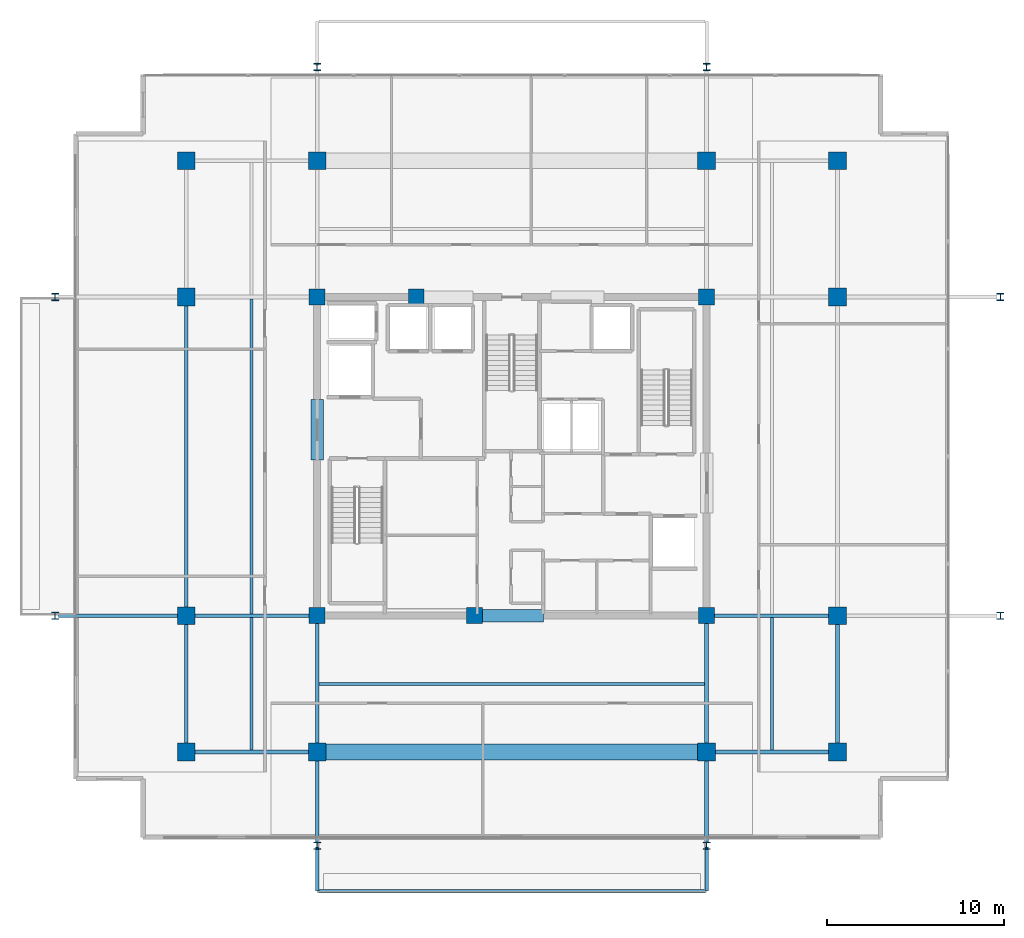
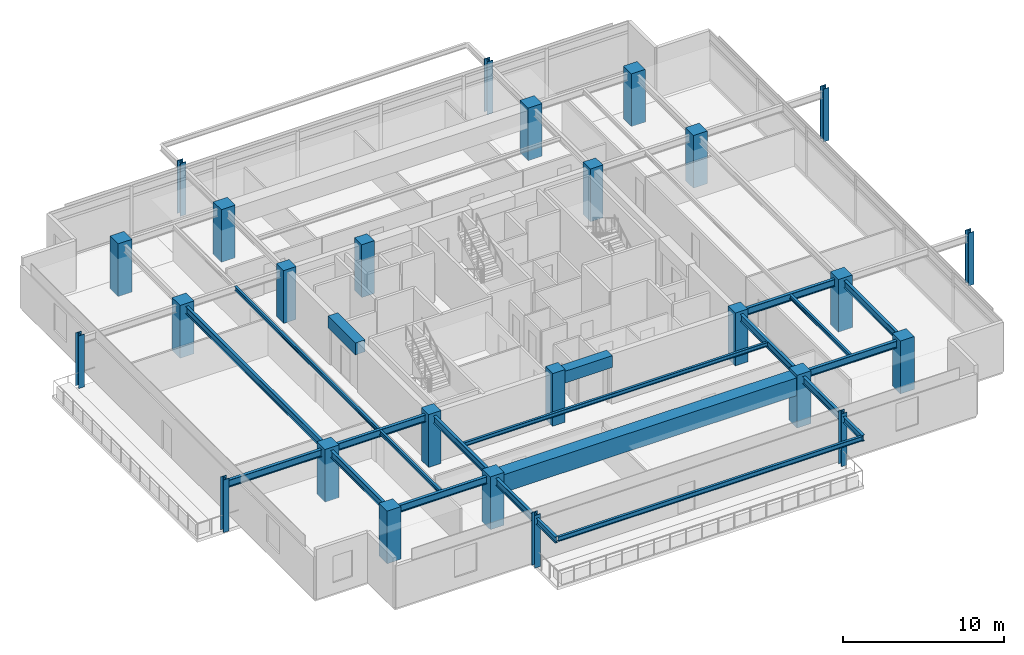
# One storey, part 1 of 21: 26 columns, 22 beams.
"""IFC4 building model written with IfcOpenShell, lengths in metres."""

from ifc_helpers import new_model, si_unit, direction, frame, origin, origin_2d, place, context, subcontext, project, spatial, rectangle, i_section, extrude, material, material_profile, profile_set, type_object, element, save


model = new_model("IFC4")

# Units and contexts
model_context = context("Model", 3, precision=1e-05, world=origin(), true_north=direction((0.0, 1.0)))
body_context = subcontext(model_context, "Body", "Model", "MODEL_VIEW")
ifc_project = project(units=[si_unit("LENGTHUNIT", "METRE"), si_unit("AREAUNIT", "SQUARE_METRE"), si_unit("VOLUMEUNIT", "CUBIC_METRE"), si_unit("PLANEANGLEUNIT", "RADIAN"), si_unit("MASSUNIT", "GRAM", prefix="KILO")], contexts=[model_context])

# Site, building, storey
site_placement = place(None, origin())
site = spatial("IfcSite", under=ifc_project, at=site_placement, CompositionType="ELEMENT")
building_placement = place(site_placement, origin())
building = spatial("IfcBuilding", under=site, at=building_placement, Name="Kovane Verandah Tower", CompositionType="ELEMENT")
storey_placement = place(building_placement, frame((0.0, 0.0, 314.800048828125)))
storey = spatial("IfcBuildingStorey", under=building, at=storey_placement, Name="L73", CompositionType="ELEMENT", Elevation=314.800048828125)

# Columns
ifc_material_1 = material(Name="Concrete C60/75", Category="concrete")
ifc_material_profile_1 = material_profile(ifc_material_1, rectangle(XDim=1.0, YDim=1.0, at=origin_2d()), Name="RC1000x1000")
ifc_profile_set_1 = profile_set([ifc_material_profile_1], Name="Concrete C60/75")
column_type_1 = type_object("IfcColumnType", Name="COL-RC1000", PredefinedType="COLUMN", material=ifc_profile_set_1)
for number, where, z_axis, x_axis, name in (
    (1, (29.0, 10.800048828125, 0.0), (0.0, 0.0, 1.0), (1.0, 0.0, 0.0), "L73 Tower Mega-Column MC-S1"),
    (2, (51.0, 10.800048828125, 0.0), (0.0, 0.0, 1.0), (1.0, 0.0, 0.0), "L73 Tower Mega-Column MC-S2"),
    (3, (29.0, 44.199951171875, 0.0), (0.0, 0.0, 1.0), (1.0, 0.0, 0.0), "L73 Tower Mega-Column MC-N1"),
    (4, (51.0, 44.199951171875, 0.0), (0.0, 0.0, 1.0), (1.0, 0.0, 0.0), "L73 Tower Mega-Column MC-N2"),
    (5, (21.60009765625, 18.5, 0.0), (0.0, 0.0, 1.0), (1.0, 0.0, 0.0), "L73 Tower Mega-Column MC-W1"),
    (6, (21.60009765625, 36.5, 0.0), (0.0, 0.0, 1.0), (1.0, 0.0, 0.0), "L73 Tower Mega-Column MC-W2"),
    (7, (58.39990234375, 18.5, 0.0), (0.0, 0.0, 1.0), (1.0, 0.0, 0.0), "L73 Tower Mega-Column MC-E1"),
    (8, (58.39990234375, 36.5, 0.0), (0.0, 0.0, 1.0), (1.0, 0.0, 0.0), "L73 Tower Mega-Column MC-E2"),
    (9, (21.60009765625, 10.800048828125, 0.0), (0.0, 0.0, 1.0), (1.0, 0.0, 0.0), "L73 Tower Mega-Column MC-SW"),
    (10, (58.39990234375, 10.800048828125, 0.0), (0.0, 0.0, 1.0), (1.0, 0.0, 0.0), "L73 Tower Mega-Column MC-SE"),
    (11, (21.60009765625, 44.199951171875, 0.0), (0.0, 0.0, 1.0), (1.0, 0.0, 0.0), "L73 Tower Mega-Column MC-NW"),
    (12, (58.39990234375, 44.199951171875, 0.0), (0.0, 0.0, 1.0), (1.0, 0.0, 0.0), "L73 Tower Mega-Column MC-NE"),
):
    element("IfcColumn", number, at=place(storey_placement, frame(where, z_axis=z_axis, x_axis=x_axis)), inside=storey, type_object=column_type_1, Name=name, PredefinedType="COLUMN", context=body_context, shape_type="SweptSolid", body=[
        extrude(rectangle(XDim=1.0, YDim=1.0, at=origin_2d()), origin(), (0.0, 0.0, 1.0), 4.0),
    ])
ifc_material_2 = material(Name="Steel S460", Category="steel")
ifc_material_profile_2 = material_profile(ifc_material_2, i_section(OverallWidth=0.403076171875, OverallDepth=0.406494140625, WebThickness=0.026611328125, FlangeThickness=0.04296875, FilletRadius=0.01513671875, at=origin_2d()), Name="UC356x406x340")
ifc_profile_set_2 = profile_set([ifc_material_profile_2], Name="Steel S460")
column_type_2 = type_object("IfcColumnType", Name="COL-UC340", PredefinedType="COLUMN", material=ifc_profile_set_2)
for number, where, z_axis, x_axis, name in (
    (13, (14.199951171875, 18.5, 0.0), (0.0, 0.0, 1.0), (1.0, 0.0, 0.0), "L73 Verandah Perimeter Column VC-W1"),
    (14, (14.199951171875, 36.5, 0.0), (0.0, 0.0, 1.0), (1.0, 0.0, 0.0), "L73 Verandah Perimeter Column VC-W2"),
    (15, (67.60009765625, 18.5, 0.0), (0.0, 0.0, 1.0), (1.0, 0.0, 0.0), "L73 Verandah Perimeter Column VC-E1"),
    (16, (67.60009765625, 36.5, 0.0), (0.0, 0.0, 1.0), (1.0, 0.0, 0.0), "L73 Verandah Perimeter Column VC-E2"),
    (17, (29.0, 5.5, 0.0), (0.0, 0.0, 1.0), (1.0, 0.0, 0.0), "L73 Verandah Perimeter Column VC-S1"),
    (18, (51.0, 5.5, 0.0), (0.0, 0.0, 1.0), (1.0, 0.0, 0.0), "L73 Verandah Perimeter Column VC-S2"),
    (19, (29.0, 49.5, 0.0), (0.0, 0.0, 1.0), (1.0, 0.0, 0.0), "L73 Verandah Perimeter Column VC-N1"),
    (20, (51.0, 49.5, 0.0), (0.0, 0.0, 1.0), (1.0, 0.0, 0.0), "L73 Verandah Perimeter Column VC-N2"),
):
    element("IfcColumn", number, at=place(storey_placement, frame(where, z_axis=z_axis, x_axis=x_axis)), inside=storey, type_object=column_type_2, Name=name, PredefinedType="COLUMN", context=body_context, shape_type="SweptSolid", body=[
        extrude(i_section(OverallWidth=0.403076171875, OverallDepth=0.406494140625, WebThickness=0.026611328125, FlangeThickness=0.04296875, FilletRadius=0.01513671875, at=origin_2d()), origin(), (0.0, 0.0, 1.0), 4.0),
    ])
ifc_material_profile_3 = material_profile(ifc_material_1, rectangle(XDim=0.89990234375, YDim=0.89990234375, at=origin_2d()), Name="RC900x900")
ifc_profile_set_3 = profile_set([ifc_material_profile_3], Name="Concrete C60/75")
column_type_3 = type_object("IfcColumnType", Name="PIL-RC900", PredefinedType="PILASTER", material=ifc_profile_set_3)
for number, where, z_axis, x_axis, name in (
    (21, (29.0, 18.5, 0.0), (0.0, 0.0, 1.0), (1.0, 0.0, 0.0), "L73 Core Pilaster CP-SW"),
    (22, (51.0, 18.5, 0.0), (0.0, 0.0, 1.0), (1.0, 0.0, 0.0), "L73 Core Pilaster CP-SE"),
    (23, (29.0, 36.5, 0.0), (0.0, 0.0, 1.0), (1.0, 0.0, 0.0), "L73 Core Pilaster CP-NW"),
    (24, (51.0, 36.5, 0.0), (0.0, 0.0, 1.0), (1.0, 0.0, 0.0), "L73 Core Pilaster CP-NE"),
    (25, (37.89990234375, 18.5, 0.0), (0.0, 0.0, 1.0), (1.0, 0.0, 0.0), "L73 Core Pilaster CP-S"),
    (26, (34.60009765625, 36.5, 0.0), (0.0, 0.0, 1.0), (1.0, 0.0, 0.0), "L73 Core Pilaster CP-N"),
):
    element("IfcColumn", number, at=place(storey_placement, frame(where, z_axis=z_axis, x_axis=x_axis)), inside=storey, type_object=column_type_3, Name=name, PredefinedType="PILASTER", context=body_context, shape_type="SweptSolid", body=[
        extrude(rectangle(XDim=0.89990234375, YDim=0.89990234375, at=origin_2d()), origin(), (0.0, 0.0, 1.0), 4.0),
    ])

# Beams
ifc_material_profile_4 = material_profile(ifc_material_1, rectangle(XDim=0.699951171875, YDim=0.89990234375, at=origin_2d()), Name="RCB700x900")
ifc_profile_set_4 = profile_set([ifc_material_profile_4], Name="Concrete C60/75")
beam_type_1 = type_object("IfcBeamType", Name="BM-LINTEL-700x900", PredefinedType="LINTEL", material=ifc_profile_set_4)
beam_1_placement = place(storey_placement, frame((38.199951171875, 18.5, 3.3349609375), z_axis=(1.0, 0.0, 0.0), x_axis=(0.0, 1.0, 0.0)))
element("IfcBeam", 27, at=beam_1_placement, inside=storey, type_object=beam_type_1, Name="L73 Core Coupling Lintel CL-S", PredefinedType="LINTEL", context=body_context, shape_type="SweptSolid", body=[
    extrude(rectangle(XDim=0.699951171875, YDim=0.89990234375, at=origin_2d()), origin(), (0.0, 0.0, 1.0), 3.60009765625),
])
beam_2_placement = place(storey_placement, frame((29.0, 27.300048828125, 3.3349609375), z_axis=(0.0, 1.0, 0.0), x_axis=(-1.0, 0.0, 0.0)))
element("IfcBeam", 28, at=beam_2_placement, inside=storey, type_object=beam_type_1, Name="L73 Core Coupling Lintel CL-W", PredefinedType="LINTEL", context=body_context, shape_type="SweptSolid", body=[
    extrude(rectangle(XDim=0.699951171875, YDim=0.89990234375, at=origin_2d()), origin(), (0.0, 0.0, 1.0), 3.39990234375),
])
ifc_material_3 = material(Name="Concrete C80/95", Category="concrete")
ifc_material_profile_5 = material_profile(ifc_material_3, rectangle(XDim=0.89990234375, YDim=1.35009765625, at=origin_2d()), Name="RCB900x1350")
ifc_profile_set_5 = profile_set([ifc_material_profile_5], Name="Concrete C80/95")
beam_type_2 = type_object("IfcBeamType", Name="BM-TR-900x1350", PredefinedType="BEAM", material=ifc_profile_set_5)
beam_3_placement = place(storey_placement, frame((29.179931640625, 10.800048828125, 3.10986328125), z_axis=(1.0, 0.0, 0.0), x_axis=(0.0, 1.0, 0.0)))
element("IfcBeam", 29, at=beam_3_placement, inside=storey, type_object=beam_type_2, Name="L73 Primary Tower Girder G-RS2", PredefinedType="BEAM", context=body_context, shape_type="SweptSolid", body=[
    extrude(rectangle(XDim=0.89990234375, YDim=1.35009765625, at=origin_2d()), origin(), (0.0, 0.0, 1.0), 21.64013671875),
])
ifc_material_4 = material(Name="Steel S355", Category="steel")
ifc_material_profile_6 = material_profile(ifc_material_4, i_section(OverallWidth=0.2119140625, OverallDepth=0.54443359375, WebThickness=0.0126953125, FlangeThickness=0.021240234375, FilletRadius=0.0126953125, at=origin_2d()), Name="UB533x210x122")
ifc_profile_set_6 = profile_set([ifc_material_profile_6], Name="Steel S355")
beam_type_3 = type_object("IfcBeamType", Name="BM-UB533x122", PredefinedType="BEAM", material=ifc_profile_set_6)
for number, where, z_axis, x_axis, name in (
    (30, (21.780029296875, 10.800048828125, 3.5126953125), (1.0, 0.0, 0.0), (0.0, 1.0, 0.0), "L73 Primary Tower Girder G-RS1"),
    (31, (51.179931640625, 10.800048828125, 3.5126953125), (1.0, 0.0, 0.0), (0.0, 1.0, 0.0), "L73 Primary Tower Girder G-RS3"),
):
    element("IfcBeam", number, at=place(storey_placement, frame(where, z_axis=z_axis, x_axis=x_axis)), inside=storey, type_object=beam_type_3, Name=name, PredefinedType="BEAM", context=body_context, shape_type="SweptSolid", body=[
        extrude(i_section(OverallWidth=0.2119140625, OverallDepth=0.54443359375, WebThickness=0.0126953125, FlangeThickness=0.021240234375, FilletRadius=0.0126953125, at=origin_2d()), origin(), (0.0, 0.0, 1.0), 7.0400390625),
    ])
beam_4_placement = place(storey_placement, frame((21.60009765625, 10.97998046875, 3.5126953125), z_axis=(0.0, 1.0, 0.0), x_axis=(-1.0, 0.0, 0.0)))
element("IfcBeam", 32, at=beam_4_placement, inside=storey, type_object=beam_type_3, Name="L73 Primary Tower Girder G-RW1", PredefinedType="BEAM", context=body_context, shape_type="SweptSolid", body=[
    extrude(i_section(OverallWidth=0.2119140625, OverallDepth=0.54443359375, WebThickness=0.0126953125, FlangeThickness=0.021240234375, FilletRadius=0.0126953125, at=origin_2d()), origin(), (0.0, 0.0, 1.0), 7.340087890625),
])
beam_5_placement = place(storey_placement, frame((21.60009765625, 18.679931640625, 3.5126953125), z_axis=(0.0, 1.0, 0.0), x_axis=(-1.0, 0.0, 0.0)))
element("IfcBeam", 33, at=beam_5_placement, inside=storey, type_object=beam_type_3, Name="L73 Primary Tower Girder G-RW2", PredefinedType="BEAM", context=body_context, shape_type="SweptSolid", body=[
    extrude(i_section(OverallWidth=0.2119140625, OverallDepth=0.54443359375, WebThickness=0.0126953125, FlangeThickness=0.021240234375, FilletRadius=0.0126953125, at=origin_2d()), origin(), (0.0, 0.0, 1.0), 17.64013671875),
])
beam_6_placement = place(storey_placement, frame((58.39990234375, 10.97998046875, 3.5126953125), z_axis=(0.0, 1.0, 0.0), x_axis=(-1.0, 0.0, 0.0)))
element("IfcBeam", 34, at=beam_6_placement, inside=storey, type_object=beam_type_3, Name="L73 Primary Tower Girder G-RE1", PredefinedType="BEAM", context=body_context, shape_type="SweptSolid", body=[
    extrude(i_section(OverallWidth=0.2119140625, OverallDepth=0.54443359375, WebThickness=0.0126953125, FlangeThickness=0.021240234375, FilletRadius=0.0126953125, at=origin_2d()), origin(), (0.0, 0.0, 1.0), 7.340087890625),
])
for number, where, z_axis, x_axis, name in (
    (35, (28.820068359375, 18.5, 3.5126953125), (-1.0, 0.0, 0.0), (0.0, -1.0, 0.0), "L73 Primary Tower Girder G-W1"),
    (36, (51.179931640625, 18.5, 3.5126953125), (1.0, 0.0, 0.0), (0.0, 1.0, 0.0), "L73 Primary Tower Girder G-E1"),
):
    element("IfcBeam", number, at=place(storey_placement, frame(where, z_axis=z_axis, x_axis=x_axis)), inside=storey, type_object=beam_type_3, Name=name, PredefinedType="BEAM", context=body_context, shape_type="SweptSolid", body=[
        extrude(i_section(OverallWidth=0.2119140625, OverallDepth=0.54443359375, WebThickness=0.0126953125, FlangeThickness=0.021240234375, FilletRadius=0.0126953125, at=origin_2d()), origin(), (0.0, 0.0, 1.0), 7.0400390625),
    ])
for number, where, z_axis, x_axis, name in (
    (37, (29.0, 18.320068359375, 3.5126953125), (0.0, -1.0, 0.0), (1.0, 0.0, 0.0), "L73 Primary Tower Girder G-S1"),
    (38, (51.0, 18.320068359375, 3.5126953125), (0.0, -1.0, 0.0), (1.0, 0.0, 0.0), "L73 Primary Tower Girder G-S2"),
):
    element("IfcBeam", number, at=place(storey_placement, frame(where, z_axis=z_axis, x_axis=x_axis)), inside=storey, type_object=beam_type_3, Name=name, PredefinedType="BEAM", context=body_context, shape_type="SweptSolid", body=[
        extrude(i_section(OverallWidth=0.2119140625, OverallDepth=0.54443359375, WebThickness=0.0126953125, FlangeThickness=0.021240234375, FilletRadius=0.0126953125, at=origin_2d()), origin(), (0.0, 0.0, 1.0), 7.340087890625),
    ])
beam_7_placement = place(storey_placement, frame((21.419921875, 18.5, 3.48779296875), z_axis=(-1.0, 0.0, 0.0), x_axis=(0.0, -1.0, 0.0)))
element("IfcBeam", 39, at=beam_7_placement, inside=storey, type_object=beam_type_3, Name="L73 Primary Tower Girder G-VW1", PredefinedType="BEAM", context=body_context, shape_type="SweptSolid", body=[
    extrude(i_section(OverallWidth=0.2119140625, OverallDepth=0.54443359375, WebThickness=0.0126953125, FlangeThickness=0.021240234375, FilletRadius=0.0126953125, at=origin_2d()), origin(), (0.0, 0.0, 1.0), 7.0400390625),
])
for number, where, z_axis, x_axis, name in (
    (40, (29.0, 10.6201171875, 3.48779296875), (0.0, -1.0, 0.0), (1.0, 0.0, 0.0), "L73 Primary Tower Girder G-VS1"),
    (41, (51.0, 10.6201171875, 3.48779296875), (0.0, -1.0, 0.0), (1.0, 0.0, 0.0), "L73 Primary Tower Girder G-VS2"),
):
    element("IfcBeam", number, at=place(storey_placement, frame(where, z_axis=z_axis, x_axis=x_axis)), inside=storey, type_object=beam_type_3, Name=name, PredefinedType="BEAM", context=body_context, shape_type="SweptSolid", body=[
        extrude(i_section(OverallWidth=0.2119140625, OverallDepth=0.54443359375, WebThickness=0.0126953125, FlangeThickness=0.021240234375, FilletRadius=0.0126953125, at=origin_2d()), origin(), (0.0, 0.0, 1.0), 4.940185546875),
    ])
ifc_material_profile_7 = material_profile(ifc_material_4, i_section(OverallWidth=0.1669921875, OverallDepth=0.310302734375, WebThickness=0.0078125, FlangeThickness=0.013671875, FilletRadius=0.0087890625, at=origin_2d()), Name="UB305x165x54")
ifc_profile_set_7 = profile_set([ifc_material_profile_7], Name="Steel S355")
beam_type_4 = type_object("IfcBeamType", Name="JST-UB305x54", PredefinedType="JOIST", material=ifc_profile_set_7)
beam_8_placement = place(storey_placement, frame((29.10400390625, 14.64990234375, 3.629638671875), z_axis=(1.0, 0.0, 0.0), x_axis=(0.0, 1.0, 0.0)))
element("IfcBeam", 42, at=beam_8_placement, inside=storey, type_object=beam_type_4, Name="L73 Secondary Composite Joist J-S1", PredefinedType="JOIST", context=body_context, shape_type="SweptSolid", body=[
    extrude(i_section(OverallWidth=0.1669921875, OverallDepth=0.310302734375, WebThickness=0.0078125, FlangeThickness=0.013671875, FilletRadius=0.0087890625, at=origin_2d()), origin(), (0.0, 0.0, 1.0), 21.7919921875),
])
beam_9_placement = place(storey_placement, frame((25.300048828125, 18.60400390625, 3.629638671875), z_axis=(0.0, 1.0, 0.0), x_axis=(-1.0, 0.0, 0.0)))
element("IfcBeam", 43, at=beam_9_placement, inside=storey, type_object=beam_type_4, Name="L73 Secondary Composite Joist J-W1", PredefinedType="JOIST", context=body_context, shape_type="SweptSolid", body=[
    extrude(i_section(OverallWidth=0.1669921875, OverallDepth=0.310302734375, WebThickness=0.0078125, FlangeThickness=0.013671875, FilletRadius=0.0087890625, at=origin_2d()), origin(), (0.0, 0.0, 1.0), 17.7919921875),
])
for number, where, z_axis, x_axis, name in (
    (44, (25.300048828125, 10.904052734375, 3.629638671875), (0.0, 1.0, 0.0), (-1.0, 0.0, 0.0), "L73 Secondary Composite Joist J-SW1"),
    (45, (54.699951171875, 10.904052734375, 3.629638671875), (0.0, 1.0, 0.0), (-1.0, 0.0, 0.0), "L73 Secondary Composite Joist J-SE1"),
):
    element("IfcBeam", number, at=place(storey_placement, frame(where, z_axis=z_axis, x_axis=x_axis)), inside=storey, type_object=beam_type_4, Name=name, PredefinedType="JOIST", context=body_context, shape_type="SweptSolid", body=[
        extrude(i_section(OverallWidth=0.1669921875, OverallDepth=0.310302734375, WebThickness=0.0078125, FlangeThickness=0.013671875, FilletRadius=0.0087890625, at=origin_2d()), origin(), (0.0, 0.0, 1.0), 7.491943359375),
    ])
ifc_material_profile_8 = material_profile(ifc_material_4, i_section(OverallWidth=0.19287109375, OverallDepth=0.46728515625, WebThickness=0.011474609375, FlangeThickness=0.01953125, FilletRadius=0.01025390625, at=origin_2d()), Name="UB457x191x98")
ifc_profile_set_8 = profile_set([ifc_material_profile_8], Name="Steel S355")
beam_type_5 = type_object("IfcBeamType", Name="JST-UB457x98", PredefinedType="JOIST", material=ifc_profile_set_8)
for number, where, z_axis, x_axis, name in (
    (46, (29.0, 5.419921875, 3.5263671875), (0.0, -1.0, 0.0), (1.0, 0.0, 0.0), "L73 South Planter Girder 1"),
    (47, (51.0, 5.419921875, 3.5263671875), (0.0, -1.0, 0.0), (1.0, 0.0, 0.0), "L73 South Planter Girder 2"),
):
    element("IfcBeam", number, at=place(storey_placement, frame(where, z_axis=z_axis, x_axis=x_axis)), inside=storey, type_object=beam_type_5, Name=name, PredefinedType="JOIST", context=body_context, shape_type="SweptSolid", body=[
        extrude(i_section(OverallWidth=0.19287109375, OverallDepth=0.46728515625, WebThickness=0.011474609375, FlangeThickness=0.01953125, FilletRadius=0.01025390625, at=origin_2d()), origin(), (0.0, 0.0, 1.0), 2.485595703125),
    ])
ifc_material_profile_9 = material_profile(ifc_material_4, i_section(OverallWidth=0.173095703125, OverallDepth=0.36328125, WebThickness=0.009033203125, FlangeThickness=0.015625, FilletRadius=0.01025390625, at=origin_2d()), Name="UB356x171x67")
ifc_profile_set_9 = profile_set([ifc_material_profile_9], Name="Steel S355")
beam_type_6 = type_object("IfcBeamType", Name="SPD-UB356x67", PredefinedType="USERDEFINED", material=ifc_profile_set_9)
beam_10_placement = place(storey_placement, frame((29.094482421875, 2.934326171875, 3.578369140625), z_axis=(1.0, 0.0, 0.0), x_axis=(0.0, 1.0, 0.0)))
element("IfcBeam", 48, at=beam_10_placement, inside=storey, type_object=beam_type_6, Name="L73 South Planter Edge Spandrel", ObjectType="SPANDREL", PredefinedType="USERDEFINED", context=body_context, shape_type="SweptSolid", body=[
    extrude(i_section(OverallWidth=0.173095703125, OverallDepth=0.36328125, WebThickness=0.009033203125, FlangeThickness=0.015625, FilletRadius=0.01025390625, at=origin_2d()), origin(), (0.0, 0.0, 1.0), 21.81103515625),
])

save(model, "model.ifc")
